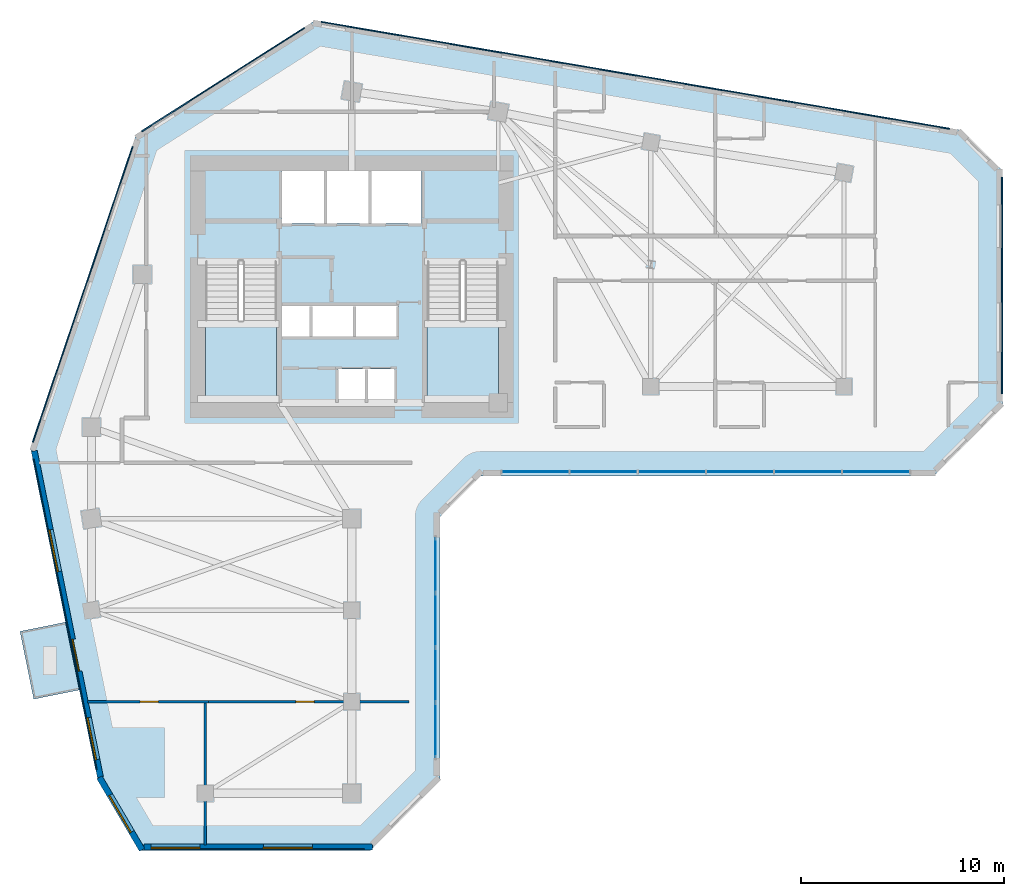
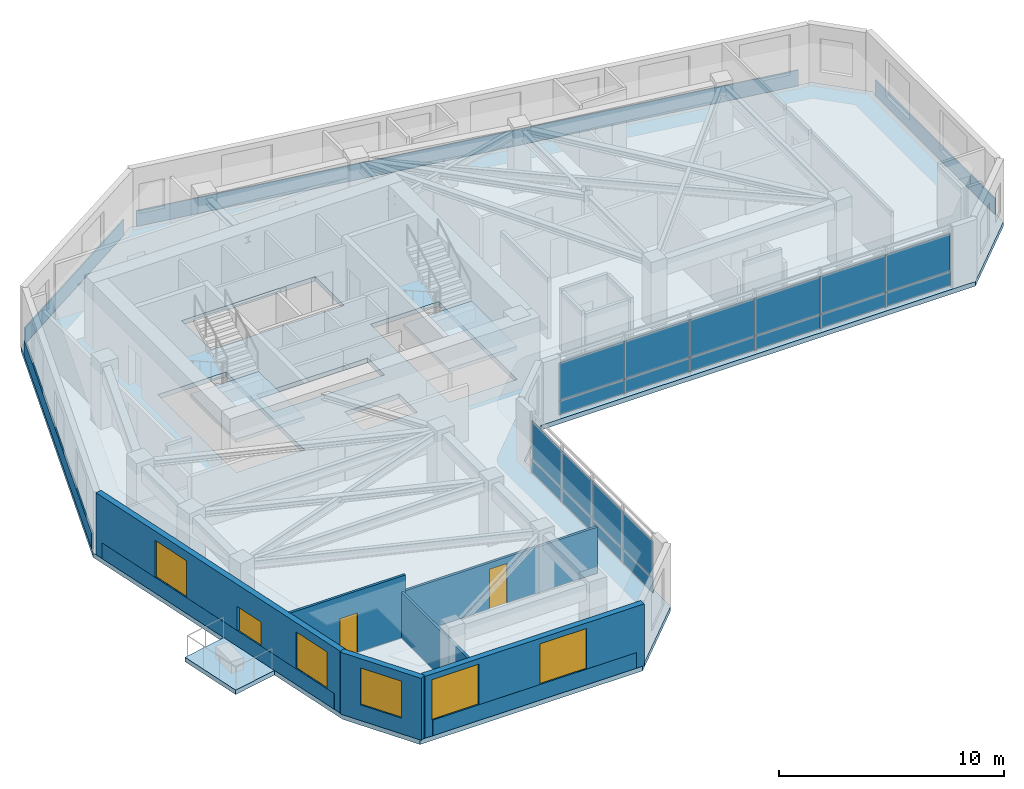
# One storey, part 4 of 11: 26 plates, 6 walls, 5 windows, 4 slabs, 3 doors, 8 openings, 4 elements without a shape of their own.
"""IFC4 building model written with IfcOpenShell, lengths in metres."""

from ifc_helpers import new_model, si_unit, direction, frame, frame_2d, origin, place, context, subcontext, project, spatial, polyline, rectangle, outline, extrude, source, transform, mapped, material, layer, layer_set, type_object, element, fill, aggregate, save


model = new_model("IFC4")

# Units and contexts
model_context = context("Model", 3, precision=1e-05, world=origin(), true_north=direction((0.0, 1.0)))
body_context = subcontext(model_context, "Body", "Model", "MODEL_VIEW")
ifc_project = project(units=[si_unit("LENGTHUNIT", "METRE"), si_unit("AREAUNIT", "SQUARE_METRE"), si_unit("VOLUMEUNIT", "CUBIC_METRE"), si_unit("PLANEANGLEUNIT", "RADIAN"), si_unit("MASSUNIT", "GRAM", prefix="KILO")], contexts=[model_context])

# Site, building, storey
site_placement = place(None, origin())
site = spatial("IfcSite", under=ifc_project, at=site_placement, CompositionType="ELEMENT")
building_placement = place(site_placement, origin())
building = spatial("IfcBuilding", under=site, at=building_placement, Name="Calvemar Wedge Station Tower", CompositionType="ELEMENT")
storey_placement = place(building_placement, frame((0.0, 0.0, 161.0)))
storey = spatial("IfcBuildingStorey", under=building, at=storey_placement, Name="L40", CompositionType="ELEMENT", Elevation=161.0)

# Curtain wall, plates
ifc_material_1 = material(Name="Anodised aluminium 6063-T6", Category="aluminium")
curtain_wall_type = type_object("IfcCurtainWallType", Name="CW2", PredefinedType="NOTDEFINED", material=ifc_material_1)
curtain_wall_1_placement = place(storey_placement, origin())
curtain_wall_1 = element("IfcCurtainWall", 1, at=curtain_wall_1_placement, inside=storey, type_object=curtain_wall_type, Name="Storey L40 CW2 Recessed Unitised Curtain Wall 4", PredefinedType="NOTDEFINED")
ifc_material_2 = material(Name="Low-E laminated insulated glass", Category="glass")
ifc_layer_1 = layer(ifc_material_2, 0.028076171875)
ifc_layer_set_1 = layer_set([ifc_layer_1], Name="Low-E laminated insulated glass")
plate_type_1 = type_object("IfcPlateType", Name="CW2-GLZ", PredefinedType="CURTAIN_PANEL", material=ifc_layer_set_1)
plate_1_placement = place(storey_placement, frame((27.91796875, 16.780029296875, 0.8701171875), z_axis=(0.0, 0.0, 1.0), x_axis=(0.0, 1.0, 0.0)))
plate_1 = element("IfcPlate", 2, at=plate_1_placement, type_object=plate_type_1, Name="CW2 vision glass panel 1", PredefinedType="CURTAIN_PANEL", context=body_context, shape_type="SweptSolid", body=[
    extrude(rectangle(XDim=2.662109375, YDim=0.028076171875, at=frame_2d((1.3310546875, 0.0))), origin(), (0.0, 0.0, 1.0), 2.009765625),
])
plate_2_placement = place(storey_placement, frame((27.91796875, 19.47802734375, 0.8701171875), z_axis=(0.0, 0.0, 1.0), x_axis=(0.0, 1.0, 0.0)))
plate_2 = element("IfcPlate", 3, at=plate_2_placement, type_object=plate_type_1, Name="CW2 vision glass panel 2", PredefinedType="CURTAIN_PANEL", context=body_context, shape_type="SweptSolid", body=[
    extrude(rectangle(XDim=2.662109375, YDim=0.028076171875, at=frame_2d((1.3310546875, 0.0))), origin(), (0.0, 0.0, 1.0), 2.009765625),
])
plate_3_placement = place(storey_placement, frame((27.91796875, 22.176025390625, 0.8701171875), z_axis=(0.0, 0.0, 1.0), x_axis=(0.0, 1.0, 0.0)))
plate_3 = element("IfcPlate", 4, at=plate_3_placement, type_object=plate_type_1, Name="CW2 vision glass panel 3", PredefinedType="CURTAIN_PANEL", context=body_context, shape_type="SweptSolid", body=[
    extrude(rectangle(XDim=2.662109375, YDim=0.028076171875, at=frame_2d((1.3310546875, 0.0))), origin(), (0.0, 0.0, 1.0), 2.009765625),
])
plate_4_placement = place(storey_placement, frame((27.91796875, 24.8740234375, 0.8701171875), z_axis=(0.0, 0.0, 1.0), x_axis=(0.0, 1.0, 0.0)))
plate_4 = element("IfcPlate", 5, at=plate_4_placement, type_object=plate_type_1, Name="CW2 vision glass panel 4", PredefinedType="CURTAIN_PANEL", context=body_context, shape_type="SweptSolid", body=[
    extrude(rectangle(XDim=2.662109375, YDim=0.028076171875, at=frame_2d((1.3310546875, 0.0))), origin(), (0.0, 0.0, 1.0), 2.009765625),
])

curtain_wall_2_placement = place(storey_placement, origin())
curtain_wall_2 = element("IfcCurtainWall", 6, at=curtain_wall_2_placement, inside=storey, type_object=curtain_wall_type, Name="Storey L40 CW2 Recessed Unitised Curtain Wall 6", PredefinedType="NOTDEFINED")
plate_5_placement = place(storey_placement, frame((31.183837890625, 30.802001953125, 0.8701171875), z_axis=(0.0, 0.0, 1.0), x_axis=(1.0, 0.0, 0.0)))
plate_5 = element("IfcPlate", 7, at=plate_5_placement, type_object=plate_type_1, Name="CW2 vision glass panel 1", PredefinedType="CURTAIN_PANEL", context=body_context, shape_type="SweptSolid", body=[
    extrude(rectangle(XDim=3.309326171875, YDim=0.028076171875, at=frame_2d((1.65478515625, 0.0))), origin(), (0.0, 0.0, 1.0), 2.009765625),
])
plate_6_placement = place(storey_placement, frame((34.529296875, 30.802001953125, 0.8701171875), z_axis=(0.0, 0.0, 1.0), x_axis=(1.0, 0.0, 0.0)))
plate_6 = element("IfcPlate", 8, at=plate_6_placement, type_object=plate_type_1, Name="CW2 vision glass panel 2", PredefinedType="CURTAIN_PANEL", context=body_context, shape_type="SweptSolid", body=[
    extrude(rectangle(XDim=3.309326171875, YDim=0.028076171875, at=frame_2d((1.65478515625, 0.0))), origin(), (0.0, 0.0, 1.0), 2.009765625),
])
plate_7_placement = place(storey_placement, frame((37.87451171875, 30.802001953125, 0.8701171875), z_axis=(0.0, 0.0, 1.0), x_axis=(1.0, 0.0, 0.0)))
plate_7 = element("IfcPlate", 9, at=plate_7_placement, type_object=plate_type_1, Name="CW2 vision glass panel 3", PredefinedType="CURTAIN_PANEL", context=body_context, shape_type="SweptSolid", body=[
    extrude(rectangle(XDim=3.309326171875, YDim=0.028076171875, at=frame_2d((1.65478515625, 0.0))), origin(), (0.0, 0.0, 1.0), 2.009765625),
])
plate_8_placement = place(storey_placement, frame((41.219970703125, 30.802001953125, 0.8701171875), z_axis=(0.0, 0.0, 1.0), x_axis=(1.0, 0.0, 0.0)))
plate_8 = element("IfcPlate", 10, at=plate_8_placement, type_object=plate_type_1, Name="CW2 vision glass panel 4", PredefinedType="CURTAIN_PANEL", context=body_context, shape_type="SweptSolid", body=[
    extrude(rectangle(XDim=3.309326171875, YDim=0.028076171875, at=frame_2d((1.65478515625, 0.0))), origin(), (0.0, 0.0, 1.0), 2.009765625),
])
plate_9_placement = place(storey_placement, frame((44.565185546875, 30.802001953125, 0.8701171875), z_axis=(0.0, 0.0, 1.0), x_axis=(1.0, 0.0, 0.0)))
plate_9 = element("IfcPlate", 11, at=plate_9_placement, type_object=plate_type_1, Name="CW2 vision glass panel 5", PredefinedType="CURTAIN_PANEL", context=body_context, shape_type="SweptSolid", body=[
    extrude(rectangle(XDim=3.309326171875, YDim=0.028076171875, at=frame_2d((1.65478515625, 0.0))), origin(), (0.0, 0.0, 1.0), 2.009765625),
])
plate_10_placement = place(storey_placement, frame((47.91064453125, 30.802001953125, 0.8701171875), z_axis=(0.0, 0.0, 1.0), x_axis=(1.0, 0.0, 0.0)))
plate_10 = element("IfcPlate", 12, at=plate_10_placement, type_object=plate_type_1, Name="CW2 vision glass panel 6", PredefinedType="CURTAIN_PANEL", context=body_context, shape_type="SweptSolid", body=[
    extrude(rectangle(XDim=3.309326171875, YDim=0.028076171875, at=frame_2d((1.65478515625, 0.0))), origin(), (0.0, 0.0, 1.0), 2.009765625),
])

# Plate
ifc_material_3 = material(Name="Oxidized bronze aluminium spandrel panel 5005-H24", Category="aluminium")
ifc_layer_2 = layer(ifc_material_3, 0.0400390625)
ifc_layer_set_2 = layer_set([ifc_layer_2], Name="Oxidized bronze aluminium spandrel panel 5005-H24")
plate_type_2 = type_object("IfcPlateType", Name="CW2-SPD", PredefinedType="SHEET", material=ifc_layer_set_2)
plate_11_placement = place(storey_placement, frame((27.91796875, 16.780029296875, 0.080078125), z_axis=(0.0, 0.0, 1.0), x_axis=(0.0, 1.0, 0.0)))
plate_11 = element("IfcPlate", 13, at=plate_11_placement, type_object=plate_type_2, Name="CW2 bronze spandrel panel 1", PredefinedType="SHEET", context=body_context, shape_type="SweptSolid", body=[
    extrude(rectangle(XDim=2.662109375, YDim=0.0400390625, at=frame_2d((1.3310546875, 0.0))), origin(), (0.0, 0.0, 1.0), 0.75),
])

plate_12_placement = place(storey_placement, frame((27.91796875, 19.47802734375, 0.080078125), z_axis=(0.0, 0.0, 1.0), x_axis=(0.0, 1.0, 0.0)))
plate_12 = element("IfcPlate", 14, at=plate_12_placement, type_object=plate_type_2, Name="CW2 bronze spandrel panel 2", PredefinedType="SHEET", context=body_context, shape_type="SweptSolid", body=[
    extrude(rectangle(XDim=2.662109375, YDim=0.0400390625, at=frame_2d((1.3310546875, 0.0))), origin(), (0.0, 0.0, 1.0), 0.75),
])

plate_13_placement = place(storey_placement, frame((27.91796875, 22.176025390625, 0.080078125), z_axis=(0.0, 0.0, 1.0), x_axis=(0.0, 1.0, 0.0)))
plate_13 = element("IfcPlate", 15, at=plate_13_placement, type_object=plate_type_2, Name="CW2 bronze spandrel panel 3", PredefinedType="SHEET", context=body_context, shape_type="SweptSolid", body=[
    extrude(rectangle(XDim=2.662109375, YDim=0.0400390625, at=frame_2d((1.3310546875, 0.0))), origin(), (0.0, 0.0, 1.0), 0.75),
])

plate_14_placement = place(storey_placement, frame((27.91796875, 24.8740234375, 0.080078125), z_axis=(0.0, 0.0, 1.0), x_axis=(0.0, 1.0, 0.0)))
plate_14 = element("IfcPlate", 16, at=plate_14_placement, type_object=plate_type_2, Name="CW2 bronze spandrel panel 4", PredefinedType="SHEET", context=body_context, shape_type="SweptSolid", body=[
    extrude(rectangle(XDim=2.662109375, YDim=0.0400390625, at=frame_2d((1.3310546875, 0.0))), origin(), (0.0, 0.0, 1.0), 0.75),
])

aggregate(curtain_wall_1, [plate_11, plate_1, plate_12, plate_2, plate_13, plate_3, plate_14, plate_4])

plate_15_placement = place(storey_placement, frame((31.183837890625, 30.802001953125, 0.080078125), z_axis=(0.0, 0.0, 1.0), x_axis=(1.0, 0.0, 0.0)))
plate_15 = element("IfcPlate", 17, at=plate_15_placement, type_object=plate_type_2, Name="CW2 bronze spandrel panel 1", PredefinedType="SHEET", context=body_context, shape_type="SweptSolid", body=[
    extrude(rectangle(XDim=3.309326171875, YDim=0.0400390625, at=frame_2d((1.65478515625, 0.0))), origin(), (0.0, 0.0, 1.0), 0.75),
])

plate_16_placement = place(storey_placement, frame((34.529296875, 30.802001953125, 0.080078125), z_axis=(0.0, 0.0, 1.0), x_axis=(1.0, 0.0, 0.0)))
plate_16 = element("IfcPlate", 18, at=plate_16_placement, type_object=plate_type_2, Name="CW2 bronze spandrel panel 2", PredefinedType="SHEET", context=body_context, shape_type="SweptSolid", body=[
    extrude(rectangle(XDim=3.309326171875, YDim=0.0400390625, at=frame_2d((1.65478515625, 0.0))), origin(), (0.0, 0.0, 1.0), 0.75),
])

plate_17_placement = place(storey_placement, frame((37.87451171875, 30.802001953125, 0.080078125), z_axis=(0.0, 0.0, 1.0), x_axis=(1.0, 0.0, 0.0)))
plate_17 = element("IfcPlate", 19, at=plate_17_placement, type_object=plate_type_2, Name="CW2 bronze spandrel panel 3", PredefinedType="SHEET", context=body_context, shape_type="SweptSolid", body=[
    extrude(rectangle(XDim=3.309326171875, YDim=0.0400390625, at=frame_2d((1.65478515625, 0.0))), origin(), (0.0, 0.0, 1.0), 0.75),
])

plate_18_placement = place(storey_placement, frame((41.219970703125, 30.802001953125, 0.080078125), z_axis=(0.0, 0.0, 1.0), x_axis=(1.0, 0.0, 0.0)))
plate_18 = element("IfcPlate", 20, at=plate_18_placement, type_object=plate_type_2, Name="CW2 bronze spandrel panel 4", PredefinedType="SHEET", context=body_context, shape_type="SweptSolid", body=[
    extrude(rectangle(XDim=3.309326171875, YDim=0.0400390625, at=frame_2d((1.65478515625, 0.0))), origin(), (0.0, 0.0, 1.0), 0.75),
])

plate_19_placement = place(storey_placement, frame((44.565185546875, 30.802001953125, 0.080078125), z_axis=(0.0, 0.0, 1.0), x_axis=(1.0, 0.0, 0.0)))
plate_19 = element("IfcPlate", 21, at=plate_19_placement, type_object=plate_type_2, Name="CW2 bronze spandrel panel 5", PredefinedType="SHEET", context=body_context, shape_type="SweptSolid", body=[
    extrude(rectangle(XDim=3.309326171875, YDim=0.0400390625, at=frame_2d((1.65478515625, 0.0))), origin(), (0.0, 0.0, 1.0), 0.75),
])

plate_20_placement = place(storey_placement, frame((47.91064453125, 30.802001953125, 0.080078125), z_axis=(0.0, 0.0, 1.0), x_axis=(1.0, 0.0, 0.0)))
plate_20 = element("IfcPlate", 22, at=plate_20_placement, type_object=plate_type_2, Name="CW2 bronze spandrel panel 6", PredefinedType="SHEET", context=body_context, shape_type="SweptSolid", body=[
    extrude(rectangle(XDim=3.309326171875, YDim=0.0400390625, at=frame_2d((1.65478515625, 0.0))), origin(), (0.0, 0.0, 1.0), 0.75),
])

aggregate(curtain_wall_2, [plate_15, plate_5, plate_16, plate_6, plate_17, plate_7, plate_18, plate_8, plate_19, plate_9, plate_20, plate_10])

# Plates
ifc_material_4 = material(Name="Precast concrete C45", Category="concrete")
ifc_layer_3 = layer(ifc_material_4, 0.06494140625)
ifc_layer_set_3 = layer_set([ifc_layer_3], Name="Precast concrete C45")
plate_type_3 = type_object("IfcPlateType", Name="PL-GFRC-FIN", PredefinedType="USERDEFINED", material=ifc_layer_set_3)
plate_21_placement = place(storey_placement, frame((13.973876953125, 12.22998046875, 0.0), z_axis=(0.0, 0.0, 1.0), x_axis=(1.0, 0.0, 0.0)))
element("IfcPlate", 23, at=plate_21_placement, inside=storey, type_object=plate_type_3, Name="Storey L40 Oxidized-Bronze GFRC Spandrel Cladding 2", ObjectType="CLADDING PANEL", PredefinedType="USERDEFINED", context=body_context, shape_type="SweptSolid", body=[
    extrude(rectangle(XDim=10.442138671875, YDim=0.06494140625, at=frame_2d((5.22119140625, 0.0))), origin(), (0.0, 0.0, 1.0), 0.85009765625),
])
plate_22_placement = place(storey_placement, frame((55.77001953125, 34.6494140625, 0.0), z_axis=(0.0, 0.0, 1.0), x_axis=(0.0, 1.0, 0.0)))
element("IfcPlate", 24, at=plate_22_placement, inside=storey, type_object=plate_type_3, Name="Storey L40 Oxidized-Bronze GFRC Spandrel Cladding 8", ObjectType="CLADDING PANEL", PredefinedType="USERDEFINED", context=body_context, shape_type="SweptSolid", body=[
    extrude(rectangle(XDim=10.63037109375, YDim=0.06494140625, at=frame_2d((5.315185546875, 0.0))), origin(), (0.0, 0.0, 1.0), 0.85009765625),
])
plate_23_placement = place(storey_placement, frame((53.186767578125, 47.666015625, 0.0), z_axis=(0.0, 0.0, 1.0), x_axis=(-0.985847129316, 0.167646764417, 0.0)))
element("IfcPlate", 25, at=plate_23_placement, inside=storey, type_object=plate_type_3, Name="Storey L40 Oxidized-Bronze GFRC Spandrel Cladding 10", ObjectType="CLADDING PANEL", PredefinedType="USERDEFINED", context=body_context, shape_type="SweptSolid", body=[
    extrude(rectangle(XDim=31.331787109375, YDim=0.06494140625, at=frame_2d((15.666015625, 0.0))), origin(), (0.0, 0.0, 1.0), 0.85009765625),
])
plate_24_placement = place(storey_placement, frame((21.472900390625, 52.62890625, 0.0), z_axis=(0.0, 0.0, 1.0), x_axis=(-0.843667847652, -0.536865497903, 0.0)))
element("IfcPlate", 26, at=plate_24_placement, inside=storey, type_object=plate_type_3, Name="Storey L40 Oxidized-Bronze GFRC Spandrel Cladding 11", ObjectType="CLADDING PANEL", PredefinedType="USERDEFINED", context=body_context, shape_type="SweptSolid", body=[
    extrude(rectangle(XDim=9.48388671875, YDim=0.06494140625, at=frame_2d((4.741943359375, 0.0))), origin(), (0.0, 0.0, 1.0), 0.85009765625),
])
plate_25_placement = place(storey_placement, frame((13.02685546875, 46.793212890625, 0.0), z_axis=(0.0, 0.0, 1.0), x_axis=(-0.319917646984, -0.947445354175, 0.0)))
element("IfcPlate", 27, at=plate_25_placement, inside=storey, type_object=plate_type_3, Name="Storey L40 Oxidized-Bronze GFRC Spandrel Cladding 12", ObjectType="CLADDING PANEL", PredefinedType="USERDEFINED", context=body_context, shape_type="SweptSolid", body=[
    extrude(rectangle(XDim=15.333740234375, YDim=0.06494140625, at=frame_2d((7.6669921875, 0.0))), origin(), (0.0, 0.0, 1.0), 0.85009765625),
])
plate_26_placement = place(storey_placement, frame((8.148681640625, 31.41796875, 0.0), z_axis=(0.0, 0.0, 1.0), x_axis=(0.198878666253, -0.980024120167, 0.0)))
element("IfcPlate", 28, at=plate_26_placement, inside=storey, type_object=plate_type_3, Name="Storey L40 Oxidized-Bronze GFRC Spandrel Cladding 13", ObjectType="CLADDING PANEL", PredefinedType="USERDEFINED", context=body_context, shape_type="SweptSolid", body=[
    extrude(rectangle(XDim=15.563232421875, YDim=0.06494140625, at=frame_2d((7.78173828125, 0.0))), origin(), (0.0, 0.0, 1.0), 0.85009765625),
])

# Stair, slab
ifc_material_5 = material(Name="Concrete C45", Category="concrete")
stair_type = type_object("IfcStairType", Name="ST-TYPE-3600", PredefinedType="HALF_TURN_STAIR", material=ifc_material_5)
stair_1_placement = place(storey_placement, origin())
stair_1 = element("IfcStair", 29, at=stair_1_placement, inside=storey, type_object=stair_type, Name="L40 Pressurized Core Exit Stair ST-C1", PredefinedType="HALF_TURN_STAIR")
ifc_layer_4 = layer(ifc_material_5, 0.199951171875)
ifc_layer_set_4 = layer_set([ifc_layer_4], Name="Concrete C45")
slab_type_1 = type_object("IfcSlabType", Name="SL-STAIR-LND-200", PredefinedType="LANDING", material=ifc_layer_set_4)
slab_1_placement = place(storey_placement, frame((0.0, 0.0, 1.60009765625)))
slab_1 = element("IfcSlab", 30, at=slab_1_placement, type_object=slab_type_1, Name="ST-C1 landing 1", PredefinedType="LANDING", context=body_context, shape_type="SweptSolid", body=[
    extrude(outline(polyline([(16.60009765625, 38.25), (16.60009765625, 34.199951171875), (20.10009765625, 34.199951171875), (20.10009765625, 38.25), (16.60009765625, 38.25)])), origin(), (0.0, 0.0, 1.0), 0.199951171875),
])
aggregate(stair_1, [slab_1])

stair_2_placement = place(storey_placement, origin())
stair_2 = element("IfcStair", 31, at=stair_2_placement, inside=storey, type_object=stair_type, Name="L40 Pressurized Core Exit Stair ST-C2", PredefinedType="HALF_TURN_STAIR")
slab_2_placement = place(storey_placement, frame((0.0, 0.0, 1.60009765625)))
slab_2 = element("IfcSlab", 32, at=slab_2_placement, type_object=slab_type_1, Name="ST-C2 landing 1", PredefinedType="LANDING", context=body_context, shape_type="SweptSolid", body=[
    extrude(outline(polyline([(27.5, 38.25), (27.5, 34.199951171875), (31.0, 34.199951171875), (31.0, 38.25), (27.5, 38.25)])), origin(), (0.0, 0.0, 1.0), 0.199951171875),
])
aggregate(stair_2, [slab_2])

# Slabs
ifc_layer_5 = layer(ifc_material_5, 0.239990234375)
ifc_layer_set_5 = layer_set([ifc_layer_5], Name="Concrete C45")
slab_type_2 = type_object("IfcSlabType", Name="SL-TERR-240", PredefinedType="FLOOR", material=ifc_layer_set_5)
slab_3_placement = place(storey_placement, frame((0.0, 0.0, -0.239990234375)))
element("IfcSlab", 33, at=slab_3_placement, inside=storey, type_object=slab_type_2, Name="Storey L40 Planted Spiral Terrace Slab", PredefinedType="FLOOR", context=body_context, shape_type="SweptSolid", body=[
    extrude(outline(polyline([(9.741943359375, 23.416015625), (7.488037109375, 22.958984375), (8.1640625, 19.626953125), (10.41796875, 20.083984375), (9.741943359375, 23.416015625)])), origin(), (0.0, 0.0, 1.0), 0.239990234375),
])
ifc_material_6 = material(Name="Concrete C50", Category="concrete")
ifc_layer_6 = layer(ifc_material_6, 0.25)
ifc_layer_set_6 = layer_set([ifc_layer_6], Name="Concrete C50")
slab_type_3 = type_object("IfcSlabType", Name="SL-TYP-250", PredefinedType="FLOOR", material=ifc_layer_set_6)
slab_4_placement = place(storey_placement, frame((0.0, 0.0, -0.25)))
element("IfcSlab", 34, at=slab_4_placement, inside=storey, type_object=slab_type_3, Name="Storey L40 Structural Floor Slab", PredefinedType="FLOOR", context=body_context, shape_type="SweptSolid", body=[
    extrude(outline(polyline([(8.0, 32.0), (11.327880859375, 15.60009765625), (13.327880859375, 12.199951171875), (24.72802734375, 12.199951171875), (28.1279296875, 15.60009765625), (28.1279296875, 28.592041015625), (30.1279296875, 30.592041015625), (52.39990234375, 30.592041015625), (55.800048828125, 33.991943359375), (55.800048828125, 45.592041015625), (53.800048828125, 47.592041015625), (22.0, 53.0), (13.199951171875, 47.39990234375), (8.0, 32.0)]), holes=[polyline([(24.52001953125, 35.85009765625), (24.510009765625, 35.85009765625), (23.1201171875, 35.85009765625), (23.1201171875, 34.219970703125), (24.510009765625, 34.219970703125), (24.52001953125, 34.219970703125), (25.909912109375, 34.219970703125), (25.909912109375, 35.85009765625), (24.52001953125, 35.85009765625)]), polyline([(16.60009765625, 34.199951171875), (20.10009765625, 34.199951171875), (20.10009765625, 41.14990234375), (16.60009765625, 41.14990234375), (16.60009765625, 34.199951171875)]), polyline([(27.5, 34.199951171875), (31.0, 34.199951171875), (31.0, 41.14990234375), (27.5, 41.14990234375), (27.5, 34.199951171875)]), polyline([(21.800048828125, 38.949951171875), (21.7900390625, 38.949951171875), (20.3798828125, 38.949951171875), (20.3798828125, 37.449951171875), (21.7900390625, 37.449951171875), (21.800048828125, 37.449951171875), (23.929931640625, 37.449951171875), (23.93994140625, 37.449951171875), (26.080078125, 37.449951171875), (26.080078125, 38.949951171875), (23.93994140625, 38.949951171875), (23.929931640625, 38.949951171875), (21.800048828125, 38.949951171875)]), polyline([(27.219970703125, 43.0), (27.219970703125, 45.580078125), (20.3798828125, 45.580078125), (20.3798828125, 43.0), (27.219970703125, 43.0)])]), origin(), (0.0, 0.0, 1.0), 0.25),
])

# Wall, opening, window
ifc_layer_7 = layer(ifc_material_4, 0.300048828125)
ifc_layer_set_7 = layer_set([ifc_layer_7], Name="Precast concrete C45")
wall_type_1 = type_object("IfcWallType", Name="W-EXT-GFRC-300", PredefinedType="SOLIDWALL", material=ifc_layer_set_7)
wall_1_placement = place(storey_placement, frame((11.39404296875, 15.78369140625, 0.0), z_axis=(0.0, 0.0, 1.0), x_axis=(0.50698915279, -0.861952434275, 0.0)))
wall_1 = element("IfcWall", 35, at=wall_1_placement, inside=storey, type_object=wall_type_1, Name="Storey L40 Bronze GFRC Exterior Wall 1", PredefinedType="SOLIDWALL", context=body_context, shape_type="SweptSolid", body=[
    extrude(rectangle(XDim=4.133544921875, YDim=0.300048828125, at=frame_2d((2.06689453125, 0.0))), origin(), (0.0, 0.0, 1.0), 3.35009765625),
])
shared_shape_1 = source(origin(), body_context, "Body", "SweptSolid", [
    extrude(rectangle(XDim=2.10009765625, YDim=2.0, at=frame_2d((1.050048828125, 1.0))), frame((0.0, 0.16015625, 0.0), z_axis=(0.0, -1.0, 0.0), x_axis=(1.0, 0.0, 0.0)), (0.0, 0.0, 1.0), 0.320068359375),
])
opening_1_placement = place(wall_1_placement, frame((1.01708984375, 0.0, 0.85009765625)))
opening_1 = element("IfcOpeningElement", 36, at=opening_1_placement, cuts=wall_1, Name="Opening W4", PredefinedType="OPENING", context=body_context, shape_type="MappedRepresentation", body=[
    mapped(shared_shape_1, transform((0.0, 0.0, 0.0), scale=1.0)),
])
window_type_1 = type_object("IfcWindowType", Name="WIN-EXT-4", PartitioningType="SINGLE_PANEL", PredefinedType="WINDOW", material=ifc_material_2)
shared_shape_2 = source(origin(), body_context, "Body", "SweptSolid", [
    extrude(rectangle(XDim=2.10009765625, YDim=2.0, at=frame_2d((1.050048828125, 1.0))), frame((0.0, -0.014892578125, 0.0), z_axis=(0.0, -1.0, 0.0), x_axis=(1.0, 0.0, 0.0)), (0.0, 0.0, 1.0), 0.06005859375),
])
window_1_placement = place(opening_1_placement, origin())
window_1 = element("IfcWindow", 37, at=window_1_placement, inside=storey, type_object=window_type_1, Name="Storey L40 Recessed Window 1.1", OverallHeight=2.0, OverallWidth=2.10009765625, PartitioningType="SINGLE_PANEL", PredefinedType="WINDOW", context=body_context, shape_type="MappedRepresentation", body=[
    mapped(shared_shape_2, transform((0.0, 0.0, 0.0), scale=1.0)),
])
fill(opening_1, window_1)

# Wall, openings, windows
wall_2_placement = place(storey_placement, frame((13.57373046875, 12.35009765625, 0.0), z_axis=(0.0, 0.0, 1.0), x_axis=(1.0, 0.0, 0.0)))
wall_2 = element("IfcWall", 38, at=wall_2_placement, inside=storey, type_object=wall_type_1, Name="Storey L40 Bronze GFRC Exterior Wall 2", PredefinedType="SOLIDWALL", context=body_context, shape_type="SweptSolid", body=[
    extrude(rectangle(XDim=11.2421875, YDim=0.300048828125, at=frame_2d((5.62109375, 0.0))), origin(), (0.0, 0.0, 1.0), 3.35009765625),
])
shared_shape_3 = source(origin(), body_context, "Body", "SweptSolid", [
    extrude(rectangle(XDim=2.39990234375, YDim=2.199951171875, at=frame_2d((1.199951171875, 1.10009765625))), frame((0.0, 0.16015625, 0.0), z_axis=(0.0, -1.0, 0.0), x_axis=(1.0, 0.0, 0.0)), (0.0, 0.0, 1.0), 0.320068359375),
])
opening_2_placement = place(wall_2_placement, frame((0.363037109375, 0.0, 0.85009765625)))
opening_2 = element("IfcOpeningElement", 39, at=opening_2_placement, cuts=wall_2, Name="Opening W1", PredefinedType="OPENING", context=body_context, shape_type="MappedRepresentation", body=[
    mapped(shared_shape_3, transform((0.0, 0.0, 0.0), scale=1.0)),
])
opening_3_placement = place(wall_2_placement, frame((5.884033203125, 0.0, 0.85009765625)))
opening_3 = element("IfcOpeningElement", 40, at=opening_3_placement, cuts=wall_2, Name="Opening W1", PredefinedType="OPENING", context=body_context, shape_type="MappedRepresentation", body=[
    mapped(shared_shape_3, transform((0.0, 0.0, 0.0), scale=1.0)),
])
window_type_2 = type_object("IfcWindowType", Name="WIN-EXT-1", PartitioningType="SINGLE_PANEL", PredefinedType="WINDOW", material=ifc_material_2)
shared_shape_4 = source(origin(), body_context, "Body", "SweptSolid", [
    extrude(rectangle(XDim=2.39990234375, YDim=2.199951171875, at=frame_2d((1.199951171875, 1.10009765625))), frame((0.0, -0.014892578125, 0.0), z_axis=(0.0, -1.0, 0.0), x_axis=(1.0, 0.0, 0.0)), (0.0, 0.0, 1.0), 0.06005859375),
])
window_2_placement = place(opening_2_placement, origin())
window_2 = element("IfcWindow", 41, at=window_2_placement, inside=storey, type_object=window_type_2, Name="Storey L40 Recessed Window 2.1", OverallHeight=2.199951171875, OverallWidth=2.39990234375, PartitioningType="SINGLE_PANEL", PredefinedType="WINDOW", context=body_context, shape_type="MappedRepresentation", body=[
    mapped(shared_shape_4, transform((0.0, 0.0, 0.0), scale=1.0)),
])
fill(opening_2, window_2)
window_3_placement = place(opening_3_placement, origin())
window_3 = element("IfcWindow", 42, at=window_3_placement, inside=storey, type_object=window_type_2, Name="Storey L40 Recessed Window 2.2", OverallHeight=2.199951171875, OverallWidth=2.39990234375, PartitioningType="SINGLE_PANEL", PredefinedType="WINDOW", context=body_context, shape_type="MappedRepresentation", body=[
    mapped(shared_shape_4, transform((0.0, 0.0, 0.0), scale=1.0)),
])
fill(opening_3, window_3)

# Wall, openings, windows, door
wall_3_placement = place(storey_placement, frame((8.186767578125, 31.833740234375, 0.0), z_axis=(0.0, 0.0, 1.0), x_axis=(0.198869838988, -0.980025911464, 0.0)))
wall_3 = element("IfcWall", 43, at=wall_3_placement, inside=storey, type_object=wall_type_1, Name="Storey L40 Bronze GFRC Exterior Wall 13", PredefinedType="SOLIDWALL", context=body_context, shape_type="SweptSolid", body=[
    extrude(rectangle(XDim=16.36328125, YDim=0.300048828125, at=frame_2d((8.181640625, 0.0))), origin(), (0.0, 0.0, 1.0), 3.35009765625),
])
shared_shape_5 = source(origin(), body_context, "Body", "SweptSolid", [
    extrude(rectangle(XDim=1.60009765625, YDim=2.14990234375, at=frame_2d((0.800048828125, 1.074951171875))), frame((0.0, 0.16015625, 0.0), z_axis=(0.0, -1.0, 0.0), x_axis=(1.0, 0.0, 0.0)), (0.0, 0.0, 1.0), 0.320068359375),
])
opening_4_placement = place(wall_3_placement, frame((9.458984375, 0.0, 0.0)))
opening_4 = element("IfcOpeningElement", 44, at=opening_4_placement, cuts=wall_3, Name="Opening DT1", PredefinedType="OPENING", context=body_context, shape_type="MappedRepresentation", body=[
    mapped(shared_shape_5, transform((0.0, 0.0, 0.0), scale=1.0)),
])
opening_5_placement = place(wall_3_placement, frame((3.958984375, 0.0, 0.85009765625)))
opening_5 = element("IfcOpeningElement", 45, at=opening_5_placement, cuts=wall_3, Name="Opening W4", PredefinedType="OPENING", context=body_context, shape_type="MappedRepresentation", body=[
    mapped(shared_shape_1, transform((0.0, 0.0, 0.0), scale=1.0)),
])
opening_6_placement = place(wall_3_placement, frame((13.385986328125, 0.0, 0.85009765625)))
opening_6 = element("IfcOpeningElement", 46, at=opening_6_placement, cuts=wall_3, Name="Opening W4", PredefinedType="OPENING", context=body_context, shape_type="MappedRepresentation", body=[
    mapped(shared_shape_1, transform((0.0, 0.0, 0.0), scale=1.0)),
])
window_4_placement = place(opening_5_placement, origin())
window_4 = element("IfcWindow", 47, at=window_4_placement, inside=storey, type_object=window_type_1, Name="Storey L40 Recessed Window 13.1", OverallHeight=2.0, OverallWidth=2.10009765625, PartitioningType="SINGLE_PANEL", PredefinedType="WINDOW", context=body_context, shape_type="MappedRepresentation", body=[
    mapped(shared_shape_2, transform((0.0, 0.0, 0.0), scale=1.0)),
])
fill(opening_5, window_4)
window_5_placement = place(opening_6_placement, origin())
window_5 = element("IfcWindow", 48, at=window_5_placement, inside=storey, type_object=window_type_1, Name="Storey L40 Recessed Window 13.2", OverallHeight=2.0, OverallWidth=2.10009765625, PartitioningType="SINGLE_PANEL", PredefinedType="WINDOW", context=body_context, shape_type="MappedRepresentation", body=[
    mapped(shared_shape_2, transform((0.0, 0.0, 0.0), scale=1.0)),
])
fill(opening_6, window_5)
door_type_1 = type_object("IfcDoorType", Name="DR-TERR-1600", OperationType="DOUBLE_DOOR_SLIDING", PredefinedType="DOOR", material=ifc_material_1)
shared_shape_6 = source(origin(), body_context, "Body", "SweptSolid", [
    extrude(rectangle(XDim=1.60009765625, YDim=2.14990234375, at=frame_2d((0.800048828125, 1.074951171875))), frame((0.0, 0.02490234375, 0.0), z_axis=(0.0, -1.0, 0.0), x_axis=(1.0, 0.0, 0.0)), (0.0, 0.0, 1.0), 0.050048828125),
])
door_1_placement = place(opening_4_placement, origin())
door_1 = element("IfcDoor", 49, at=door_1_placement, inside=storey, type_object=door_type_1, Name="Storey L40 Spiral Terrace Door", OperationType="DOUBLE_DOOR_SLIDING", OverallHeight=2.14990234375, OverallWidth=1.60009765625, PredefinedType="DOOR", context=body_context, shape_type="MappedRepresentation", body=[
    mapped(shared_shape_6, transform((0.0, 0.0, 0.0), scale=1.0)),
])
fill(opening_4, door_1)

# Wall, opening, door
ifc_material_7 = material(Name="Insulated acoustic gypsum stud partition")
ifc_layer_8 = layer(ifc_material_7, 0.125)
ifc_layer_set_8 = layer_set([ifc_layer_8], Name="Insulated acoustic gypsum stud partition")
wall_type_2 = type_object("IfcWallType", Name="W-PART-125", PredefinedType="PARTITIONING", material=ifc_layer_set_8)
wall_4_placement = place(storey_placement, frame((16.760009765625, 19.5, 0.0), z_axis=(0.0, 0.0, 1.0), x_axis=(-1.0, 0.0, 0.0)))
wall_4 = element("IfcWall", 50, at=wall_4_placement, inside=storey, type_object=wall_type_2, Name="Storey L40 Interior Partition WL-L40-038", PredefinedType="PARTITIONING", context=body_context, shape_type="SweptSolid", body=[
    extrude(rectangle(XDim=5.953125, YDim=0.125, at=frame_2d((2.9765625, 0.0))), origin(), (0.0, 0.0, 1.0), 3.35009765625),
])
shared_shape_7 = source(origin(), body_context, "Body", "SweptSolid", [
    extrude(rectangle(XDim=0.89990234375, YDim=2.14990234375, at=frame_2d((0.449951171875, 1.074951171875))), frame((0.0, 0.072509765625, 0.0), z_axis=(0.0, -1.0, 0.0), x_axis=(1.0, 0.0, 0.0)), (0.0, 0.0, 1.0), 0.14501953125),
])
opening_7_placement = place(wall_4_placement, frame((2.4658203125, 0.0, 0.0)))
opening_7 = element("IfcOpeningElement", 51, at=opening_7_placement, cuts=wall_4, Name="Opening D-01", PredefinedType="OPENING", context=body_context, shape_type="MappedRepresentation", body=[
    mapped(shared_shape_7, transform((0.0, 0.0, 0.0), scale=1.0)),
])
ifc_material_8 = material(Name="Architectural hardwood acoustic swing door", Category="wood")
door_type_2 = type_object("IfcDoorType", Name="DR-INT-900", OperationType="NOTDEFINED", PredefinedType="DOOR", material=ifc_material_8)
shared_shape_8 = source(origin(), body_context, "Body", "SweptSolid", [
    extrude(rectangle(XDim=0.89990234375, YDim=2.14990234375, at=frame_2d((0.449951171875, 1.074951171875))), frame((0.0, 0.02490234375, 0.0), z_axis=(0.0, -1.0, 0.0), x_axis=(1.0, 0.0, 0.0)), (0.0, 0.0, 1.0), 0.050048828125),
])
door_2_placement = place(opening_7_placement, origin())
door_2 = element("IfcDoor", 52, at=door_2_placement, inside=storey, type_object=door_type_2, Name="L40 Fitness Studio Door", OperationType="SINGLE_SWING_LEFT", OverallHeight=2.14990234375, OverallWidth=0.89990234375, PredefinedType="DOOR", context=body_context, shape_type="MappedRepresentation", body=[
    mapped(shared_shape_8, transform((0.0, 0.0, 0.0), scale=1.0)),
])
fill(opening_7, door_2)

wall_5_placement = place(storey_placement, frame((26.60009765625, 19.5, 0.0), z_axis=(0.0, 0.0, 1.0), x_axis=(-1.0, 0.0, 0.0)))
wall_5 = element("IfcWall", 53, at=wall_5_placement, inside=storey, type_object=wall_type_2, Name="Storey L40 Interior Partition WL-L40-039", PredefinedType="PARTITIONING", context=body_context, shape_type="SweptSolid", body=[
    extrude(rectangle(XDim=9.838134765625, YDim=0.125, at=frame_2d((4.9189453125, 0.0))), origin(), (0.0, 0.0, 1.0), 2.491943359375),
])
opening_8_placement = place(wall_5_placement, frame((4.651123046875, 0.0, 0.0)))
opening_8 = element("IfcOpeningElement", 54, at=opening_8_placement, cuts=wall_5, Name="Opening D-01", PredefinedType="OPENING", context=body_context, shape_type="MappedRepresentation", body=[
    mapped(shared_shape_7, transform((0.0, 0.0, 0.0), scale=1.0)),
])
door_3_placement = place(opening_8_placement, origin())
door_3 = element("IfcDoor", 55, at=door_3_placement, inside=storey, type_object=door_type_2, Name="L40 Tea Study Salon Door", OperationType="SINGLE_SWING_RIGHT", OverallHeight=2.14990234375, OverallWidth=0.89990234375, PredefinedType="DOOR", context=body_context, shape_type="MappedRepresentation", body=[
    mapped(shared_shape_8, transform((0.0, 0.0, 0.0), scale=1.0)),
])
fill(opening_8, door_3)

# Wall
wall_6_placement = place(storey_placement, frame((16.60009765625, 19.43359375, 0.0), z_axis=(0.0, 0.0, 1.0), x_axis=(0.0, -1.0, 0.0)))
element("IfcWall", 56, at=wall_6_placement, inside=storey, type_object=wall_type_2, Name="Storey L40 Interior Partition WL-L40-040", PredefinedType="PARTITIONING", context=body_context, shape_type="SweptSolid", body=[
    extrude(rectangle(XDim=6.968505859375, YDim=0.125, at=frame_2d((3.484375, 0.0))), origin(), (0.0, 0.0, 1.0), 2.491943359375),
])

save(model, "model.ifc")
